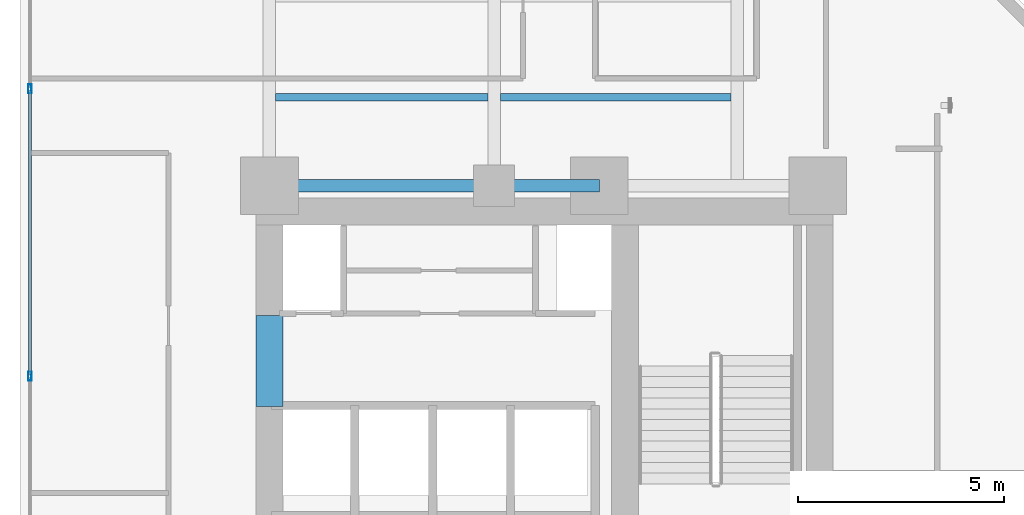
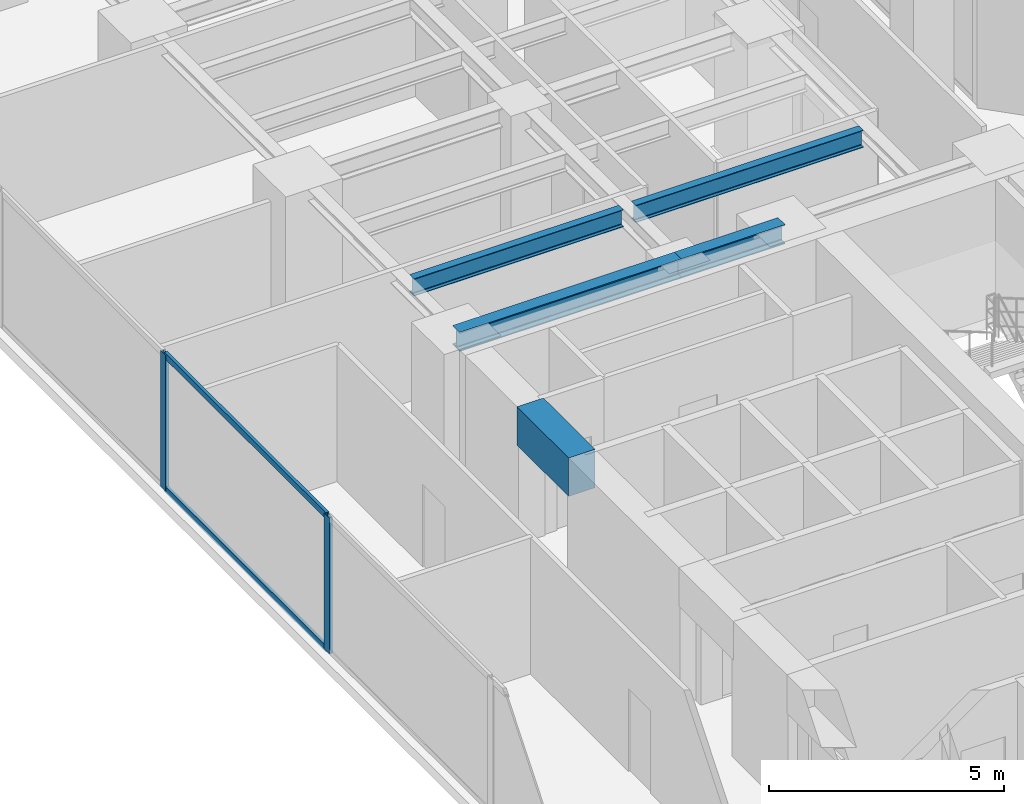
# One storey, part 6 of 27: 5 beams, 4 members, 1 element without a shape of its own.
"""IFC4 building model written with IfcOpenShell, lengths in metres."""

from ifc_helpers import new_model, si_unit, direction, frame, origin, origin_with_axes, origin_2d, place, context, subcontext, project, spatial, rectangle, hollow_rectangle, i_section, extrude, source, transform, mapped, material, layer, layer_set, material_profile, profile_set, type_object, element, aggregate, save


model = new_model("IFC4")

# Units and contexts
model_context = context("Model", 3, precision=1e-05, world=origin(), true_north=direction((0.0, 1.0)))
body_context = subcontext(model_context, "Body", "Model", "MODEL_VIEW")
ifc_project = project(units=[si_unit("LENGTHUNIT", "METRE"), si_unit("AREAUNIT", "SQUARE_METRE"), si_unit("VOLUMEUNIT", "CUBIC_METRE"), si_unit("PLANEANGLEUNIT", "RADIAN"), si_unit("MASSUNIT", "GRAM", prefix="KILO")], contexts=[model_context])

# Site, building, storey
site_placement = place(None, origin())
site = spatial("IfcSite", under=ifc_project, at=site_placement, CompositionType="ELEMENT")
building_placement = place(site_placement, origin())
building = spatial("IfcBuilding", under=site, at=building_placement, Name="Kolvaren Waterfront Exchange", CompositionType="ELEMENT")
storey_placement = place(building_placement, frame((0.0, 0.0, 118.300048828125)))
storey = spatial("IfcBuildingStorey", under=building, at=storey_placement, Name="L30", CompositionType="ELEMENT", Elevation=118.300048828125)

# Beams
ifc_material_1 = material(Name="Steel S355", Category="steel")
ifc_material_profile_1 = material_profile(ifc_material_1, i_section(OverallWidth=0.300048828125, OverallDepth=0.5, WebThickness=0.014404296875, FlangeThickness=0.028076171875, FilletRadius=0.027099609375, at=origin_2d()), Name="HEB500")
ifc_profile_set_1 = profile_set([ifc_material_profile_1], Name="Steel S355")
beam_type_1 = type_object("IfcBeamType", Name="STR-BM-HEB500", PredefinedType="BEAM", material=ifc_profile_set_1)
beam_1_placement = place(storey_placement, frame((7.449951171875, 24.449951171875, 3.2900390625), z_axis=(1.0, 0.0, 0.0), x_axis=(0.0, 1.0, 0.0)))
element("IfcBeam", 1, at=beam_1_placement, inside=storey, type_object=beam_type_1, Name="L30 north-arm girder 1A", PredefinedType="BEAM", context=body_context, shape_type="SweptSolid", body=[
    extrude(i_section(OverallWidth=0.300048828125, OverallDepth=0.5, WebThickness=0.014404296875, FlangeThickness=0.028076171875, FilletRadius=0.027099609375, at=origin_2d()), origin(), (0.0, 0.0, 1.0), 5.449951171875),
])
beam_2_placement = place(storey_placement, frame((12.89990234375, 24.449951171875, 3.2900390625), z_axis=(1.0, 0.0, 0.0), x_axis=(0.0, 1.0, 0.0)))
element("IfcBeam", 2, at=beam_2_placement, inside=storey, type_object=beam_type_1, Name="L30 north-arm girder 1B", PredefinedType="BEAM", context=body_context, shape_type="SweptSolid", body=[
    extrude(i_section(OverallWidth=0.300048828125, OverallDepth=0.5, WebThickness=0.014404296875, FlangeThickness=0.028076171875, FilletRadius=0.027099609375, at=origin_2d()), origin(), (0.0, 0.0, 1.0), 2.550048828125),
])
ifc_material_profile_2 = material_profile(ifc_material_1, i_section(OverallWidth=0.18994140625, OverallDepth=0.449951171875, WebThickness=0.009521484375, FlangeThickness=0.0146484375, FilletRadius=0.02099609375, at=origin_2d()), Name="IPE450")
ifc_profile_set_2 = profile_set([ifc_material_profile_2], Name="Steel S355")
beam_type_2 = type_object("IfcBeamType", Name="STR-BM-IPE450", PredefinedType="JOIST", material=ifc_profile_set_2)
beam_3_placement = place(storey_placement, frame((7.60205078125, 26.60009765625, 3.31494140625), z_axis=(1.0, 0.0, 0.0), x_axis=(0.0, 1.0, 0.0)))
element("IfcBeam", 3, at=beam_3_placement, inside=storey, type_object=beam_type_2, Name="L30 north-arm composite joist 1A", PredefinedType="JOIST", context=body_context, shape_type="SweptSolid", body=[
    extrude(i_section(OverallWidth=0.18994140625, OverallDepth=0.449951171875, WebThickness=0.009521484375, FlangeThickness=0.0146484375, FilletRadius=0.02099609375, at=origin_2d()), origin(), (0.0, 0.0, 1.0), 5.14599609375),
])
beam_4_placement = place(storey_placement, frame((13.052001953125, 26.60009765625, 3.31494140625), z_axis=(1.0, 0.0, 0.0), x_axis=(0.0, 1.0, 0.0)))
element("IfcBeam", 4, at=beam_4_placement, inside=storey, type_object=beam_type_2, Name="L30 north-arm composite joist 1B", PredefinedType="JOIST", context=body_context, shape_type="SweptSolid", body=[
    extrude(i_section(OverallWidth=0.18994140625, OverallDepth=0.449951171875, WebThickness=0.009521484375, FlangeThickness=0.0146484375, FilletRadius=0.02099609375, at=origin_2d()), origin(), (0.0, 0.0, 1.0), 5.595947265625),
])
ifc_material_2 = material(Name="Concrete C60/75", Category="concrete")
ifc_material_profile_3 = material_profile(ifc_material_2, rectangle(XDim=0.64990234375, YDim=1.0, at=origin_2d()), Name="RC-CB-1000x650")
ifc_profile_set_3 = profile_set([ifc_material_profile_3], Name="Concrete C60/75")
beam_type_3 = type_object("IfcBeamType", Name="STR-CB-1000", PredefinedType="SPANDREL", material=ifc_profile_set_3)
beam_5_placement = place(storey_placement, frame((7.449951171875, 19.10009765625, 3.0400390625), z_axis=(0.0, 1.0, 0.0), x_axis=(-1.0, 0.0, 0.0)))
element("IfcBeam", 5, at=beam_5_placement, inside=storey, type_object=beam_type_3, Name="L30 core coupling beam 5", PredefinedType="SPANDREL", context=body_context, shape_type="SweptSolid", body=[
    extrude(rectangle(XDim=0.64990234375, YDim=1.0, at=origin_2d()), origin(), (0.0, 0.0, 1.0), 2.199951171875),
])

# Curtain wall, members
ifc_material_3 = material(Name="Anodised aluminium 6063-T6", Category="aluminium")
ifc_layer = layer(ifc_material_3, 0.219970703125, Name="Anodised aluminium 6063-T6")
ifc_layer_set = layer_set([ifc_layer], Name="Anodised aluminium 6063-T6")
curtain_wall_type = type_object("IfcCurtainWallType", Name="ARC-CW-SYS2", PredefinedType="USERDEFINED", material=ifc_layer_set)
curtain_wall_placement = place(storey_placement, origin())
curtain_wall = element("IfcCurtainWall", 6, at=curtain_wall_placement, inside=storey, type_object=curtain_wall_type, Name="L30 stick curtain wall CW2 (CW-L30-W)", ObjectType="STICK CURTAIN WALL", PredefinedType="USERDEFINED")
ifc_material_profile_4 = material_profile(ifc_material_3, hollow_rectangle(XDim=0.080078125, YDim=0.219970703125, WallThickness=0.0048828125, at=origin_2d()), Name="ALU-MUL-220x80x5")
ifc_profile_set_4 = profile_set([ifc_material_profile_4], Name="Anodised aluminium 6063-T6")
member_type_1 = type_object("IfcMemberType", Name="ARC-CWM-220", PredefinedType="MULLION", material=ifc_profile_set_4)
shared_shape_1 = source(origin_with_axes(), body_context, "Body", "SweptSolid", [
    extrude(hollow_rectangle(XDim=0.080078125, YDim=0.219970703125, WallThickness=0.0048828125, at=origin_2d()), origin(), (0.0, 0.0, 1.0), 3.5400390625),
])
member_1_placement = place(storey_placement, frame((1.639892578125, 19.833251953125, 0.0), z_axis=(0.0, 0.0, 1.0), x_axis=(-1.0, 0.0, 0.0)))
member_1 = element("IfcMember", 7, at=member_1_placement, type_object=member_type_1, Name="CW2 mullion 3", PredefinedType="MULLION", context=body_context, shape_type="MappedRepresentation", body=[
    mapped(shared_shape_1, transform((0.0, 0.0, 0.0), x_axis=(1.0, 0.0, 0.0), y_axis=(0.0, 1.0, 0.0), z_axis=(0.0, 0.0, 1.0), scale=1.0)),
])
member_2_placement = place(storey_placement, frame((1.639892578125, 26.800048828125, 0.0), z_axis=(0.0, 0.0, 1.0), x_axis=(-1.0, 0.0, 0.0)))
member_2 = element("IfcMember", 8, at=member_2_placement, type_object=member_type_1, Name="CW2 mullion 4", PredefinedType="MULLION", context=body_context, shape_type="MappedRepresentation", body=[
    mapped(shared_shape_1, transform((0.0, 0.0, 0.0), x_axis=(1.0, 0.0, 0.0), y_axis=(0.0, 1.0, 0.0), z_axis=(0.0, 0.0, 1.0), scale=1.0)),
])
ifc_material_profile_5 = material_profile(ifc_material_3, hollow_rectangle(XDim=0.074951171875, YDim=0.159912109375, WallThickness=0.00439453125, at=origin_2d()), Name="ALU-TRN-160x75x4.5")
ifc_profile_set_5 = profile_set([ifc_material_profile_5], Name="Anodised aluminium 6063-T6")
member_type_2 = type_object("IfcMemberType", Name="ARC-CWT-160", PredefinedType="USERDEFINED", material=ifc_profile_set_5)
shared_shape_2 = source(origin_with_axes(), body_context, "Body", "SweptSolid", [
    extrude(hollow_rectangle(XDim=0.074951171875, YDim=0.159912109375, WallThickness=0.00439453125, at=origin_2d()), origin(), (0.0, 0.0, 1.0), 6.88671875),
])
member_3_placement = place(storey_placement, frame((1.639892578125, 19.873291015625, 0.037353515625), z_axis=(0.0, 1.0, 0.0), x_axis=(-1.0, 0.0, 0.0)))
member_3 = element("IfcMember", 9, at=member_3_placement, type_object=member_type_2, Name="CW2 transom 3.1", ObjectType="TRANSOM", PredefinedType="USERDEFINED", context=body_context, shape_type="MappedRepresentation", body=[
    mapped(shared_shape_2, transform((0.0, 0.0, 0.0), x_axis=(1.0, 0.0, 0.0), y_axis=(0.0, 1.0, 0.0), z_axis=(0.0, 0.0, 1.0), scale=1.0)),
])
member_4_placement = place(storey_placement, frame((1.639892578125, 19.873291015625, 3.50244140625), z_axis=(0.0, 1.0, 0.0), x_axis=(-1.0, 0.0, 0.0)))
member_4 = element("IfcMember", 10, at=member_4_placement, type_object=member_type_2, Name="CW2 transom 3.2", ObjectType="TRANSOM", PredefinedType="USERDEFINED", context=body_context, shape_type="MappedRepresentation", body=[
    mapped(shared_shape_2, transform((0.0, 0.0, 0.0), x_axis=(1.0, 0.0, 0.0), y_axis=(0.0, 1.0, 0.0), z_axis=(0.0, 0.0, 1.0), scale=1.0)),
])
aggregate(curtain_wall, [member_1, member_2, member_3, member_4])

save(model, "model.ifc")
